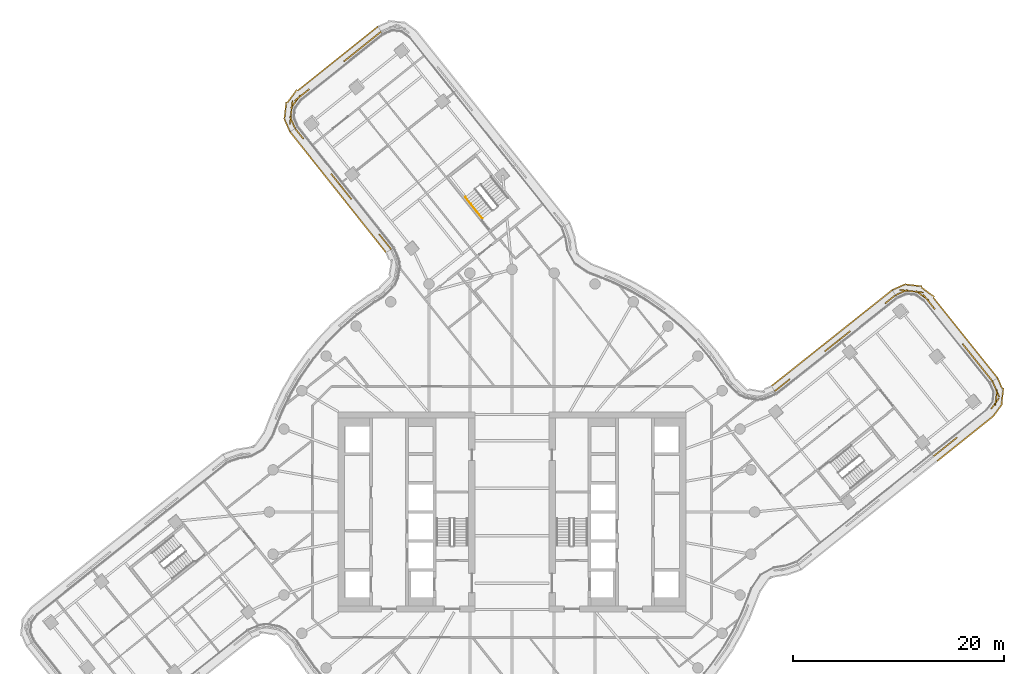
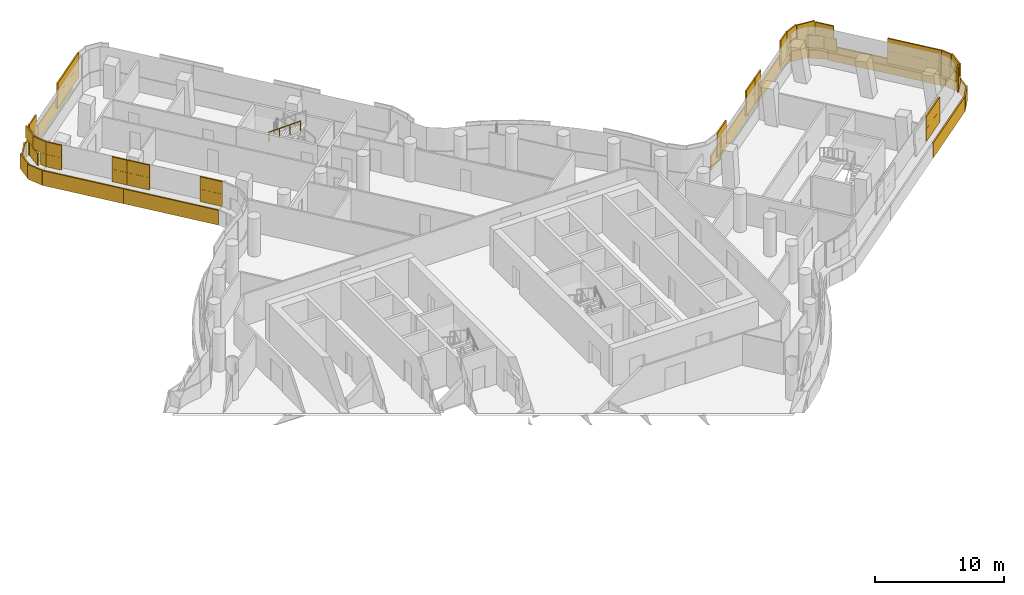
# One storey, part 30 of 31: 7 coverings, 1 railing.
"""IFC4 building model written with IfcOpenShell, lengths in metres."""

import ifcopenshell
import ifcopenshell.guid

model = None  # the IFC model being written
_history = None  # IfcOwnerHistory: only IFC2X3 demands one
_inside = {}  # id of a spatial element -> (the spatial element, [elements in it])
_under = {}  # id of a project, library or spatial element -> (it, [spatial elements below it])
_declared = {}  # id of a project -> (the project, [libraries it declares])
_typed = {}  # id of a type object -> (the type object, [elements of that type])
_made_of = {}  # id of a material, layer set ... -> (it, [elements and type objects made of it])


def new_model(schema):
    """Start an empty IFC model of exactly this schema.

    Asked for "IFC4X3", IfcOpenShell would pick the latest addendum, in which some entities
    have other attributes; the version numbers below select the first issue.
    IFC2X3 requires an IfcOwnerHistory on every rooted entity: one is made here for all.
    """
    global model, _history
    if schema == "IFC4X3":
        model = ifcopenshell.file(schema_version=(4, 3, 0, 0))
    else:
        model = ifcopenshell.file(schema=schema)
    _inside.clear()
    _under.clear()
    _declared.clear()
    _typed.clear()
    _made_of.clear()
    _history = None
    if model.schema == "IFC2X3":
        org = make("IfcOrganization", Name="unknown")
        user = make(
            "IfcPersonAndOrganization",
            ThePerson=make("IfcPerson", FamilyName="unknown"),
            TheOrganization=org,
        )
        app = make(
            "IfcApplication",
            ApplicationDeveloper=org,
            Version="unknown",
            ApplicationFullName="unknown",
            ApplicationIdentifier="unknown",
        )
        _history = make(
            "IfcOwnerHistory",
            OwningUser=user,
            OwningApplication=app,
            ChangeAction="ADDED",
            CreationDate=0,
        )
    return model


def make(cls, **values):
    """One entity of the class cls with the attributes given. An attribute that is None is left unset."""
    return model.create_entity(
        cls, **{name: value for name, value in values.items() if value is not None}
    )


def rooted(cls, **values):
    """An entity with a GlobalId (a new one), such as an element, a storey or a relation."""
    return make(cls, GlobalId=ifcopenshell.guid.new(), OwnerHistory=_history, **values)


def si_unit(unit_type, name, prefix=None):
    """IfcSIUnit, for example si_unit("LENGTHUNIT", "METRE", prefix="MILLI")."""
    return make("IfcSIUnit", UnitType=unit_type, Prefix=prefix, Name=name)


def assignment(units):
    """IfcUnitAssignment: the units of a project."""
    return None if units is None else make("IfcUnitAssignment", Units=units)


def point(xyz):
    """IfcCartesianPoint."""
    return None if xyz is None else make("IfcCartesianPoint", Coordinates=xyz)


def direction(xyz):
    """IfcDirection."""
    return None if xyz is None else make("IfcDirection", DirectionRatios=xyz)


def frame(location, z_axis=None, x_axis=None):
    """IfcAxis2Placement3D, a coordinate frame: its origin and axes. An axis left out is left unset."""
    return make(
        "IfcAxis2Placement3D",
        Location=point(location),
        Axis=direction(z_axis),
        RefDirection=direction(x_axis),
    )


def frame_2d(location, x_axis=None):
    """IfcAxis2Placement2D, a coordinate frame in the plane: its origin and x axis."""
    return make(
        "IfcAxis2Placement2D", Location=point(location), RefDirection=direction(x_axis)
    )


def origin():
    """The frame at (0, 0, 0) with its axes left unset."""
    return frame((0.0, 0.0, 0.0))


def origin_2d():
    """The frame at (0, 0) in the plane with its x axis left unset."""
    return frame_2d((0.0, 0.0))


def place(relative_to, where):
    """IfcLocalPlacement: puts the frame where relative to a parent placement (None: the world)."""
    return make(
        "IfcLocalPlacement", PlacementRelTo=relative_to, RelativePlacement=where
    )


def context(
    kind, dimensions, precision=None, world=None, true_north=None, identifier=None
):
    """IfcGeometricRepresentationContext, for example the 3D "Model" context."""
    return make(
        "IfcGeometricRepresentationContext",
        ContextIdentifier=identifier,
        ContextType=kind,
        CoordinateSpaceDimension=dimensions,
        Precision=precision,
        WorldCoordinateSystem=world,
        TrueNorth=true_north,
    )


def subcontext(parent, identifier, kind, view, scale=None):
    """IfcGeometricRepresentationSubContext, for example "Body" below "Model"."""
    return make(
        "IfcGeometricRepresentationSubContext",
        ContextIdentifier=identifier,
        ContextType=kind,
        ParentContext=parent,
        TargetScale=scale,
        TargetView=view,
    )


def project(units=None, contexts=None):
    """IfcProject with its units and contexts."""
    return rooted(
        "IfcProject",
        Name="project",
        RepresentationContexts=contexts,
        UnitsInContext=assignment(units),
    )


def spatial(cls, under=None, at=None, **own):
    """A site, building, storey or space (cls), placed at a placement, below another one or the project."""
    s = rooted(cls, ObjectPlacement=at, **own)
    if under is not None:
        _under.setdefault(under.id(), (under, []))[1].append(s)
    return s


def profile(cls, at=None, kind="AREA", **sizes):
    """A parametric profile (cls). Its sizes go by their IFC names, for example OverallWidth=200.0."""
    return make(cls, ProfileType=kind, Position=at, **sizes)


def rectangle(**sizes):
    """IfcRectangleProfileDef."""
    return profile("IfcRectangleProfileDef", **sizes)


def circle(**sizes):
    """IfcCircleProfileDef."""
    return profile("IfcCircleProfileDef", **sizes)


def extrude(swept, where, along, depth):
    """IfcExtrudedAreaSolid: the profile swept, set in the frame where, extruded along a direction by depth."""
    return make(
        "IfcExtrudedAreaSolid",
        SweptArea=swept,
        Position=where,
        ExtrudedDirection=direction(along),
        Depth=depth,
    )


def shape(context_of_items, identifier, shape_type, items):
    """IfcShapeRepresentation: the items that make up one representation, for example the "Body"."""
    return make(
        "IfcShapeRepresentation",
        ContextOfItems=context_of_items,
        RepresentationIdentifier=identifier,
        RepresentationType=shape_type,
        Items=items,
    )


def material(Name=None, Category=None):
    """IfcMaterial."""
    return make("IfcMaterial", Name=Name, Category=Category)


def layer(
    of_material, thickness, ventilated=None, Name=None, Category=None, Priority=None
):
    """IfcMaterialLayer: one layer of a wall or slab, of a material (None: an air gap)."""
    return make(
        "IfcMaterialLayer",
        Material=of_material,
        LayerThickness=thickness,
        IsVentilated=ventilated,
        Name=Name,
        Category=Category,
        Priority=Priority,
    )


def layer_set(layers, Name=None):
    """IfcMaterialLayerSet."""
    return make("IfcMaterialLayerSet", MaterialLayers=layers, LayerSetName=Name)


def made_of(thing, what):
    """Note that an element or type object is made of a material, layer set ...; save() writes the relation."""
    if what is not None:
        _made_of.setdefault(what.id(), (what, []))[1].append(thing)
    return thing


def type_object(cls, material=None, **own):
    """A type object (cls), such as IfcWallType, which elements share."""
    return made_of(rooted(cls, **own), material)


def element(
    cls,
    number,
    at=None,
    inside=None,
    cuts=None,
    type_object=None,
    material=None,
    context=None,
    identifier="Body",
    shape_type=None,
    held_by="IfcProductDefinitionShape",
    body=None,
    shapes=None,
    **own,
):
    """One element of the class cls, such as IfcWall. Its Tag is "e" and its number.

    at: its placement. inside: the storey or other place that contains it. cuts: it is an
    opening in that element (IfcRelVoidsElement). A single representation is given by context,
    identifier, shape_type and body (its items); several are given by shapes. held_by: the class
    of the entity that holds the representations. save() writes the other relations.
    """
    e = rooted(cls, Tag="e%d" % number, ObjectPlacement=at, **own)
    if body is not None:
        shapes = [shape(context, identifier, shape_type, body)]
    if shapes is not None:
        e.Representation = make(held_by, Representations=shapes)
    if inside is not None:
        _inside.setdefault(inside.id(), (inside, []))[1].append(e)
    if cuts is not None:
        rooted(
            "IfcRelVoidsElement", RelatingBuildingElement=cuts, RelatedOpeningElement=e
        )
    if type_object is not None:
        _typed.setdefault(type_object.id(), (type_object, []))[1].append(e)
    return made_of(e, material)


def aggregate(whole, parts):
    """IfcRelAggregates: a whole, such as a stair, and the parts it consists of."""
    return rooted("IfcRelAggregates", RelatingObject=whole, RelatedObjects=parts)


def save(model, path):
    """Write the relations noted so far, then the file.

    IfcRelAggregates (storeys below a building ...), IfcRelContainedInSpatialStructure (elements
    in a storey), IfcRelDefinesByType, IfcRelAssociatesMaterial and IfcRelDeclares: one each for
    every whole, place, type object, material and project.
    """
    for whole, parts in _under.values():
        aggregate(whole, parts)
    for where, things in _inside.values():
        rooted(
            "IfcRelContainedInSpatialStructure",
            RelatedElements=things,
            RelatingStructure=where,
        )
    for kind, things in _typed.values():
        rooted("IfcRelDefinesByType", RelatedObjects=things, RelatingType=kind)
    for what, things in _made_of.values():
        rooted("IfcRelAssociatesMaterial", RelatedObjects=things, RelatingMaterial=what)
    for by, libraries in _declared.values():
        rooted("IfcRelDeclares", RelatingContext=by, RelatedDefinitions=libraries)
    model.write(path)


model = new_model("IFC4")

# Units and contexts
model_context = context("Model", 3, precision=1e-05, world=origin(), true_north=direction((0.0, 1.0)))
body_context = subcontext(model_context, "Body", "Model", "MODEL_VIEW")
ifc_project = project(units=[si_unit("LENGTHUNIT", "METRE"), si_unit("AREAUNIT", "SQUARE_METRE"), si_unit("VOLUMEUNIT", "CUBIC_METRE"), si_unit("PLANEANGLEUNIT", "RADIAN"), si_unit("MASSUNIT", "GRAM", prefix="KILO")], contexts=[model_context])

# Site, building, storey
site_placement = place(None, origin())
site = spatial("IfcSite", under=ifc_project, at=site_placement, CompositionType="ELEMENT")
building_placement = place(site_placement, origin())
building = spatial("IfcBuilding", under=site, at=building_placement, Name="Tamarind Cross Interchange Tower", CompositionType="ELEMENT")
storey_placement = place(building_placement, frame((0.0, 0.0, 174.25)))
storey = spatial("IfcBuildingStorey", under=building, at=storey_placement, Name="L43", CompositionType="ELEMENT", Elevation=174.25)

# Railing
ifc_material_1 = material(Name="Stair handrail")
railing_type = type_object("IfcRailingType", Name="Stair handrail", PredefinedType="HANDRAIL", material=ifc_material_1)
railing_placement = place(storey_placement, frame((-4.42724609375, 29.855712890625, 2.04541015625)))
element("IfcRailing", 1, at=railing_placement, inside=storey, type_object=railing_type, Name="L43 ST4 stair handrail 2", PredefinedType="HANDRAIL", context=body_context, shape_type="SweptSolid", body=[
    extrude(circle(Radius=0.02392578125, at=origin_2d()), frame((0.0, 0.0, 0.8759765625), z_axis=(0.522440495283, -0.653030987341, 0.548275896298), x_axis=(0.780859648533, 0.62470649852, 0.0)), (0.0, 0.0, 1.0), 3.10888671875),
    extrude(circle(Radius=0.02099609375, at=origin_2d()), origin(), (0.0, 0.0, 1.0), 0.851806640625),
    extrude(circle(Radius=0.02099609375, at=origin_2d()), frame((0.54150390625, -0.6767578125, 0.568115234375)), (0.0, 0.0, 1.0), 0.851806640625),
    extrude(circle(Radius=0.02099609375, at=origin_2d()), frame((1.082763671875, -1.353515625, 1.136474609375)), (0.0, 0.0, 1.0), 0.851806640625),
    extrude(circle(Radius=0.02099609375, at=origin_2d()), frame((1.624267578125, -2.0302734375, 1.70458984375)), (0.0, 0.0, 1.0), 0.851806640625),
])

# Coverings
ifc_material_2 = material(Name="Terracotta", Category="masonry")
ifc_layer = layer(ifc_material_2, 0.1201171875)
ifc_layer_set = layer_set([ifc_layer], Name="Terracotta")
covering_type = type_object("IfcCoveringType", Name="Terracotta baguette screen unit", PredefinedType="MOLDING", material=ifc_layer_set)
covering_1_placement = place(storey_placement, origin())
element("IfcCovering", 2, at=covering_1_placement, inside=storey, type_object=covering_type, Name="SCR-L43-07-02", PredefinedType="MOLDING", context=body_context, shape_type="SweptSolid", body=[
    extrude(rectangle(XDim=0.8486328125, YDim=0.1201171875, at=origin_2d()), frame((40.26904296875, 5.53466796875, 1.404052734375), z_axis=(0.0, 0.0, 1.0), x_axis=(0.780892885425, 0.624664951388, 0.0)), (0.0, 0.0, 1.0), 1.1669921875),
    extrude(rectangle(XDim=1.52001953125, YDim=0.1201171875, at=origin_2d()), frame((41.18212890625, 6.26513671875, 1.404052734375), z_axis=(0.0, 0.0, 1.0), x_axis=(0.780892885425, 0.624664951388, 0.0)), (0.0, 0.0, 1.0), 1.1669921875),
    extrude(rectangle(XDim=0.554931640625, YDim=0.1201171875, at=origin_2d()), frame((41.98046875, 6.90380859375, 1.404052734375), z_axis=(0.0, 0.0, 1.0), x_axis=(0.780892885425, 0.624664951388, 0.0)), (0.0, 0.0, 1.0), 1.1669921875),
    extrude(rectangle(XDim=1.26513671875, YDim=0.1201171875, at=origin_2d()), frame((45.7802734375, 10.264892578125, 1.404052734375), z_axis=(0.0, 0.0, 1.0), x_axis=(0.59260941937, 0.805489960256, 0.0)), (0.0, 0.0, 1.0), 1.1669921875),
    extrude(rectangle(XDim=1.52001953125, YDim=0.1201171875, at=origin_2d()), frame((45.882568359375, 11.60009765625, 1.404052734375), z_axis=(0.0, 0.0, 1.0), x_axis=(-0.40127005839, 0.915959791825, 0.0)), (0.0, 0.0, 1.0), 1.1669921875),
    extrude(rectangle(XDim=0.138427734375, YDim=0.1201171875, at=origin_2d()), frame((45.555908203125, 12.345703125, 1.404052734375), z_axis=(0.0, 0.0, 1.0), x_axis=(-0.40127005839, 0.915959791825, 0.0)), (0.0, 0.0, 1.0), 1.1669921875),
    extrude(rectangle(XDim=0.0986328125, YDim=0.1201171875, at=origin_2d()), frame((39.97607421875, 5.30029296875, 2.5791015625), z_axis=(0.0, 0.0, 1.0), x_axis=(0.780892885425, 0.624664951388, 0.0)), (0.0, 0.0, 1.0), 1.1669921875),
    extrude(rectangle(XDim=1.52001953125, YDim=0.1201171875, at=origin_2d()), frame((40.596435546875, 5.796630859375, 2.5791015625), z_axis=(0.0, 0.0, 1.0), x_axis=(0.780892885425, 0.624664951388, 0.0)), (0.0, 0.0, 1.0), 1.1669921875),
    extrude(rectangle(XDim=1.304931640625, YDim=0.1201171875, at=origin_2d()), frame((41.687744140625, 6.66943359375, 2.5791015625), z_axis=(0.0, 0.0, 1.0), x_axis=(0.780892885425, 0.624664951388, 0.0)), (0.0, 0.0, 1.0), 1.1669921875),
    extrude(rectangle(XDim=0.51513671875, YDim=0.1201171875, at=origin_2d()), frame((45.55810546875, 9.962890625, 2.5791015625), z_axis=(0.0, 0.0, 1.0), x_axis=(0.59260941937, 0.805489960256, 0.0)), (0.0, 0.0, 1.0), 1.1669921875),
    extrude(rectangle(XDim=1.52001953125, YDim=0.1201171875, at=origin_2d()), frame((45.8984375, 10.86962890625, 2.5791015625), z_axis=(0.0, 0.0, 1.0), x_axis=(0.110469831569, 0.99387947776, 0.0)), (0.0, 0.0, 1.0), 1.1669921875),
    extrude(rectangle(XDim=0.888427734375, YDim=0.1201171875, at=origin_2d()), frame((45.70654296875, 12.002197265625, 2.5791015625), z_axis=(0.0, 0.0, 1.0), x_axis=(-0.40127005839, 0.915959791825, 0.0)), (0.0, 0.0, 1.0), 1.1669921875),
    extrude(rectangle(XDim=0.726318359375, YDim=0.1201171875, at=origin_2d()), frame((40.603515625, 5.067138671875, 0.00390625), z_axis=(0.0, 0.0, 1.0), x_axis=(0.780892885425, 0.624664951388, 0.0)), (0.0, 0.0, 1.0), 1.39208984375),
    extrude(rectangle(XDim=1.52001953125, YDim=0.1201171875, at=origin_2d()), frame((41.46484375, 5.75634765625, 0.00390625), z_axis=(0.0, 0.0, 1.0), x_axis=(0.780892885425, 0.624664951388, 0.0)), (0.0, 0.0, 1.0), 1.39208984375),
    extrude(rectangle(XDim=1.52001953125, YDim=0.1201171875, at=origin_2d()), frame((42.63623046875, 6.693359375, 0.00390625), z_axis=(0.0, 0.0, 1.0), x_axis=(0.780892885425, 0.624664951388, 0.0)), (0.0, 0.0, 1.0), 1.39208984375),
    extrude(rectangle(XDim=1.52001953125, YDim=0.1201171875, at=origin_2d()), frame((43.8076171875, 7.63037109375, 0.00390625), z_axis=(0.0, 0.0, 1.0), x_axis=(0.780892885425, 0.624664951388, 0.0)), (0.0, 0.0, 1.0), 1.39208984375),
    extrude(rectangle(XDim=1.52001953125, YDim=0.1201171875, at=origin_2d()), frame((44.97900390625, 8.5673828125, 0.00390625), z_axis=(0.0, 0.0, 1.0), x_axis=(0.780892885425, 0.624664951388, 0.0)), (0.0, 0.0, 1.0), 1.39208984375),
    extrude(rectangle(XDim=1.52001953125, YDim=0.1201171875, at=origin_2d()), frame((46.023193359375, 9.62646484375, 0.00390625), z_axis=(0.0, 0.0, 1.0), x_axis=(0.59260941937, 0.805489960256, 0.0)), (0.0, 0.0, 1.0), 1.39208984375),
    extrude(rectangle(XDim=1.52001953125, YDim=0.1201171875, at=origin_2d()), frame((46.490478515625, 10.999267578125, 0.00390625), z_axis=(0.0, 0.0, 1.0), x_axis=(0.110469831569, 0.99387947776, 0.0)), (0.0, 0.0, 1.0), 1.39208984375),
    extrude(rectangle(XDim=1.0771484375, YDim=0.1201171875, at=origin_2d()), frame((46.24169921875, 12.210693359375, 0.00390625), z_axis=(0.0, 0.0, 1.0), x_axis=(-0.40127005839, 0.915959791825, 0.0)), (0.0, 0.0, 1.0), 1.39208984375),
])
covering_2_placement = place(storey_placement, origin())
element("IfcCovering", 3, at=covering_2_placement, inside=storey, type_object=covering_type, Name="SCR-L43-08-00", PredefinedType="MOLDING", context=body_context, shape_type="SweptSolid", body=[
    extrude(rectangle(XDim=0.760009765625, YDim=0.1201171875, at=origin_2d()), frame((45.2958984375, 12.697509765625, 1.404052734375), z_axis=(0.0, 0.0, 1.0), x_axis=(-0.624664951388, 0.780892885425, 0.0)), (0.0, 0.0, 1.0), 1.1669921875),
    extrude(rectangle(XDim=1.52001953125, YDim=0.1201171875, at=origin_2d()), frame((44.59326171875, 13.575927734375, 1.404052734375), z_axis=(0.0, 0.0, 1.0), x_axis=(-0.624664951388, 0.780892885425, 0.0)), (0.0, 0.0, 1.0), 1.1669921875),
    extrude(rectangle(XDim=1.52001953125, YDim=0.1201171875, at=origin_2d()), frame((43.65625, 14.747314453125, 1.404052734375), z_axis=(0.0, 0.0, 1.0), x_axis=(-0.624664951388, 0.780892885425, 0.0)), (0.0, 0.0, 1.0), 1.1669921875),
    extrude(rectangle(XDim=0.78466796875, YDim=0.1201171875, at=origin_2d()), frame((42.94580078125, 15.635498046875, 1.404052734375), z_axis=(0.0, 0.0, 1.0), x_axis=(-0.624664951388, 0.780892885425, 0.0)), (0.0, 0.0, 1.0), 1.1669921875),
    extrude(rectangle(XDim=1.03515625, YDim=0.1201171875, at=origin_2d()), frame((39.760009765625, 19.617919921875, 1.404052734375), z_axis=(0.0, 0.0, 1.0), x_axis=(-0.624664951388, 0.780892885425, 0.0)), (0.0, 0.0, 1.0), 1.1669921875),
    extrude(rectangle(XDim=1.52001953125, YDim=0.1201171875, at=origin_2d()), frame((38.885009765625, 20.51416015625, 1.404052734375), z_axis=(0.0, 0.0, 1.0), x_axis=(-0.805489960256, 0.59260941937, 0.0)), (0.0, 0.0, 1.0), 1.1669921875),
    extrude(rectangle(XDim=1.52001953125, YDim=0.1201171875, at=origin_2d()), frame((37.50634765625, 20.966796875, 1.404052734375), z_axis=(0.0, 0.0, 1.0), x_axis=(-0.99387947776, 0.110469831569, 0.0)), (0.0, 0.0, 1.0), 1.1669921875),
    extrude(rectangle(XDim=0.509521484375, YDim=0.1201171875, at=origin_2d()), frame((36.57666015625, 20.656982421875, 1.404052734375), z_axis=(0.0, 0.0, 1.0), x_axis=(-0.915959791825, -0.40127005839, 0.0)), (0.0, 0.0, 1.0), 1.1669921875),
    extrude(rectangle(XDim=1.510009765625, YDim=0.1201171875, at=origin_2d()), frame((45.061767578125, 12.990234375, 2.5791015625), z_axis=(0.0, 0.0, 1.0), x_axis=(-0.624664951388, 0.780892885425, 0.0)), (0.0, 0.0, 1.0), 1.1669921875),
    extrude(rectangle(XDim=1.52001953125, YDim=0.1201171875, at=origin_2d()), frame((44.124755859375, 14.16162109375, 2.5791015625), z_axis=(0.0, 0.0, 1.0), x_axis=(-0.624664951388, 0.780892885425, 0.0)), (0.0, 0.0, 1.0), 1.1669921875),
    extrude(rectangle(XDim=1.52001953125, YDim=0.1201171875, at=origin_2d()), frame((43.187744140625, 15.3330078125, 2.5791015625), z_axis=(0.0, 0.0, 1.0), x_axis=(-0.624664951388, 0.780892885425, 0.0)), (0.0, 0.0, 1.0), 1.1669921875),
    extrude(rectangle(XDim=1.52001953125, YDim=0.1201171875, at=origin_2d()), frame((39.439697265625, 20.018310546875, 2.5791015625), z_axis=(0.0, 0.0, 1.0), x_axis=(-0.624664951388, 0.780892885425, 0.0)), (0.0, 0.0, 1.0), 1.1669921875),
    extrude(rectangle(XDim=1.52001953125, YDim=0.1201171875, at=origin_2d()), frame((38.251708984375, 20.884033203125, 2.5791015625), z_axis=(0.0, 0.0, 1.0), x_axis=(-0.99387947776, 0.110469831569, 0.0)), (0.0, 0.0, 1.0), 1.1669921875),
    extrude(rectangle(XDim=1.259521484375, YDim=0.1201171875, at=origin_2d()), frame((36.920166015625, 20.807373046875, 2.5791015625), z_axis=(0.0, 0.0, 1.0), x_axis=(-0.915959791825, -0.40127005839, 0.0)), (0.0, 0.0, 1.0), 1.1669921875),
    extrude(rectangle(XDim=0.760009765625, YDim=0.1201171875, at=origin_2d()), frame((45.788330078125, 13.0009765625, 0.00390625), z_axis=(0.0, 0.0, 1.0), x_axis=(-0.624664951388, 0.780892885425, 0.0)), (0.0, 0.0, 1.0), 1.39208984375),
    extrude(rectangle(XDim=1.52001953125, YDim=0.1201171875, at=origin_2d()), frame((45.088623046875, 13.87548828125, 0.00390625), z_axis=(0.0, 0.0, 1.0), x_axis=(-0.624664951388, 0.780892885425, 0.0)), (0.0, 0.0, 1.0), 1.39208984375),
    extrude(rectangle(XDim=1.52001953125, YDim=0.1201171875, at=origin_2d()), frame((44.151611328125, 15.046875, 0.00390625), z_axis=(0.0, 0.0, 1.0), x_axis=(-0.624664951388, 0.780892885425, 0.0)), (0.0, 0.0, 1.0), 1.39208984375),
    extrude(rectangle(XDim=1.52001953125, YDim=0.1201171875, at=origin_2d()), frame((43.214599609375, 16.21826171875, 0.00390625), z_axis=(0.0, 0.0, 1.0), x_axis=(-0.624664951388, 0.780892885425, 0.0)), (0.0, 0.0, 1.0), 1.39208984375),
    extrude(rectangle(XDim=1.52001953125, YDim=0.1201171875, at=origin_2d()), frame((42.277587890625, 17.389404296875, 0.00390625), z_axis=(0.0, 0.0, 1.0), x_axis=(-0.624664951388, 0.780892885425, 0.0)), (0.0, 0.0, 1.0), 1.39208984375),
    extrude(rectangle(XDim=1.52001953125, YDim=0.1201171875, at=origin_2d()), frame((41.340576171875, 18.560791015625, 0.00390625), z_axis=(0.0, 0.0, 1.0), x_axis=(-0.624664951388, 0.780892885425, 0.0)), (0.0, 0.0, 1.0), 1.39208984375),
    extrude(rectangle(XDim=1.52001953125, YDim=0.1201171875, at=origin_2d()), frame((40.403564453125, 19.732177734375, 0.00390625), z_axis=(0.0, 0.0, 1.0), x_axis=(-0.624664951388, 0.780892885425, 0.0)), (0.0, 0.0, 1.0), 1.39208984375),
    extrude(rectangle(XDim=1.52001953125, YDim=0.1201171875, at=origin_2d()), frame((39.407958984375, 20.84228515625, 0.00390625), z_axis=(0.0, 0.0, 1.0), x_axis=(-0.805489960256, 0.59260941937, 0.0)), (0.0, 0.0, 1.0), 1.39208984375),
    extrude(rectangle(XDim=1.52001953125, YDim=0.1201171875, at=origin_2d()), frame((38.100830078125, 21.478271484375, 0.00390625), z_axis=(0.0, 0.0, 1.0), x_axis=(-0.99387947776, 0.110469831569, 0.0)), (0.0, 0.0, 1.0), 1.39208984375),
    extrude(rectangle(XDim=1.42626953125, YDim=0.1201171875, at=origin_2d()), frame((36.702392578125, 21.338623046875, 0.00390625), z_axis=(0.0, 0.0, 1.0), x_axis=(-0.915959791825, -0.40127005839, 0.0)), (0.0, 0.0, 1.0), 1.39208984375),
])
covering_3_placement = place(storey_placement, origin())
element("IfcCovering", 4, at=covering_3_placement, inside=storey, type_object=covering_type, Name="SCR-L43-09-00", PredefinedType="MOLDING", context=body_context, shape_type="SweptSolid", body=[
    extrude(rectangle(XDim=0.760009765625, YDim=0.1201171875, at=origin_2d()), frame((36.054443359375, 20.3232421875, 1.404052734375), z_axis=(0.0, 0.0, 1.0), x_axis=(-0.782599684666, -0.622525287487, 0.0)), (0.0, 0.0, 1.0), 1.1669921875),
    extrude(rectangle(XDim=0.5263671875, YDim=0.1201171875, at=origin_2d()), frame((35.558837890625, 19.92919921875, 1.404052734375), z_axis=(0.0, 0.0, 1.0), x_axis=(-0.782599684666, -0.622525287487, 0.0)), (0.0, 0.0, 1.0), 1.1669921875),
    extrude(rectangle(XDim=1.266357421875, YDim=0.1201171875, at=origin_2d()), frame((31.574462890625, 16.759521484375, 1.404052734375), z_axis=(0.0, 0.0, 1.0), x_axis=(-0.782599684666, -0.622525287487, 0.0)), (0.0, 0.0, 1.0), 1.1669921875),
    extrude(rectangle(XDim=1.266357421875, YDim=0.1201171875, at=origin_2d()), frame((35.852294921875, 20.16259765625, 2.5791015625), z_axis=(0.0, 0.0, 1.0), x_axis=(-0.782599684666, -0.622525287487, 0.0)), (0.0, 0.0, 1.0), 1.1669921875),
    extrude(rectangle(XDim=0.543701171875, YDim=0.1201171875, at=origin_2d()), frame((31.861083984375, 16.98779296875, 2.5791015625), z_axis=(0.0, 0.0, 1.0), x_axis=(-0.782599684666, -0.622525287487, 0.0)), (0.0, 0.0, 1.0), 1.1669921875),
    extrude(rectangle(XDim=0.74267578125, YDim=0.1201171875, at=origin_2d()), frame((31.365478515625, 16.593505859375, 2.5791015625), z_axis=(0.0, 0.0, 1.0), x_axis=(-0.782599684666, -0.622525287487, 0.0)), (0.0, 0.0, 1.0), 1.1669921875),
    extrude(rectangle(XDim=0.760009765625, YDim=0.1201171875, at=origin_2d()), frame((35.751708984375, 20.81591796875, 0.00390625), z_axis=(0.0, 0.0, 1.0), x_axis=(-0.782599684666, -0.622525287487, 0.0)), (0.0, 0.0, 1.0), 1.39208984375),
    extrude(rectangle(XDim=1.52001953125, YDim=0.1201171875, at=origin_2d()), frame((34.875244140625, 20.11865234375, 0.00390625), z_axis=(0.0, 0.0, 1.0), x_axis=(-0.782599684666, -0.622525287487, 0.0)), (0.0, 0.0, 1.0), 1.39208984375),
    extrude(rectangle(XDim=1.52001953125, YDim=0.1201171875, at=origin_2d()), frame((33.701171875, 19.184814453125, 0.00390625), z_axis=(0.0, 0.0, 1.0), x_axis=(-0.782599684666, -0.622525287487, 0.0)), (0.0, 0.0, 1.0), 1.39208984375),
    extrude(rectangle(XDim=1.52001953125, YDim=0.1201171875, at=origin_2d()), frame((32.52734375, 18.251220703125, 0.00390625), z_axis=(0.0, 0.0, 1.0), x_axis=(-0.782599684666, -0.622525287487, 0.0)), (0.0, 0.0, 1.0), 1.39208984375),
    extrude(rectangle(XDim=1.48974609375, YDim=0.1201171875, at=origin_2d()), frame((31.365478515625, 17.326904296875, 0.00390625), z_axis=(0.0, 0.0, 1.0), x_axis=(-0.782599684666, -0.622525287487, 0.0)), (0.0, 0.0, 1.0), 1.39208984375),
])
covering_4_placement = place(storey_placement, origin())
element("IfcCovering", 5, at=covering_4_placement, inside=storey, type_object=covering_type, Name="SCR-L43-09-01", PredefinedType="MOLDING", context=body_context, shape_type="SweptSolid", body=[
    extrude(rectangle(XDim=1.52001953125, YDim=0.1201171875, at=origin_2d()), frame((30.478515625, 15.8876953125, 1.404052734375), z_axis=(0.0, 0.0, 1.0), x_axis=(-0.782599684666, -0.622525287487, 0.0)), (0.0, 0.0, 1.0), 1.1669921875),
    extrude(rectangle(XDim=0.34130859375, YDim=0.1201171875, at=origin_2d()), frame((29.76171875, 15.317626953125, 1.404052734375), z_axis=(0.0, 0.0, 1.0), x_axis=(-0.782599684666, -0.622525287487, 0.0)), (0.0, 0.0, 1.0), 1.1669921875),
    extrude(rectangle(XDim=1.478515625, YDim=0.1201171875, at=origin_2d()), frame((25.7705078125, 12.142822265625, 1.404052734375), z_axis=(0.0, 0.0, 1.0), x_axis=(-0.782599684666, -0.622525287487, 0.0)), (0.0, 0.0, 1.0), 1.1669921875),
    extrude(rectangle(XDim=0.39013671875, YDim=0.1201171875, at=origin_2d()), frame((25.047119140625, 11.5673828125, 1.404052734375), z_axis=(0.0, 0.0, 1.0), x_axis=(-0.782599684666, -0.622525287487, 0.0)), (0.0, 0.0, 1.0), 1.1669921875),
    extrude(rectangle(XDim=0.77734375, YDim=0.1201171875, at=origin_2d()), frame((30.778564453125, 16.126708984375, 2.5791015625), z_axis=(0.0, 0.0, 1.0), x_axis=(-0.782599684666, -0.622525287487, 0.0)), (0.0, 0.0, 1.0), 1.1669921875),
    extrude(rectangle(XDim=1.09130859375, YDim=0.1201171875, at=origin_2d()), frame((30.05517578125, 15.55126953125, 2.5791015625), z_axis=(0.0, 0.0, 1.0), x_axis=(-0.782599684666, -0.622525287487, 0.0)), (0.0, 0.0, 1.0), 1.1669921875),
    extrude(rectangle(XDim=0.728515625, YDim=0.1201171875, at=origin_2d()), frame((26.06396484375, 12.376220703125, 2.5791015625), z_axis=(0.0, 0.0, 1.0), x_axis=(-0.782599684666, -0.622525287487, 0.0)), (0.0, 0.0, 1.0), 1.1669921875),
    extrude(rectangle(XDim=1.14013671875, YDim=0.1201171875, at=origin_2d()), frame((25.340576171875, 11.80078125, 2.5791015625), z_axis=(0.0, 0.0, 1.0), x_axis=(-0.782599684666, -0.622525287487, 0.0)), (0.0, 0.0, 1.0), 1.1669921875),
    extrude(rectangle(XDim=0.0302734375, YDim=0.1201171875, at=origin_2d()), frame((30.7705078125, 16.853759765625, 0.00390625), z_axis=(0.0, 0.0, 1.0), x_axis=(-0.782599684666, -0.622525287487, 0.0)), (0.0, 0.0, 1.0), 1.39208984375),
    extrude(rectangle(XDim=1.52001953125, YDim=0.1201171875, at=origin_2d()), frame((30.1796875, 16.383544921875, 0.00390625), z_axis=(0.0, 0.0, 1.0), x_axis=(-0.782599684666, -0.622525287487, 0.0)), (0.0, 0.0, 1.0), 1.39208984375),
    extrude(rectangle(XDim=1.52001953125, YDim=0.1201171875, at=origin_2d()), frame((29.005615234375, 15.44970703125, 0.00390625), z_axis=(0.0, 0.0, 1.0), x_axis=(-0.782599684666, -0.622525287487, 0.0)), (0.0, 0.0, 1.0), 1.39208984375),
    extrude(rectangle(XDim=1.52001953125, YDim=0.1201171875, at=origin_2d()), frame((27.831787109375, 14.515869140625, 0.00390625), z_axis=(0.0, 0.0, 1.0), x_axis=(-0.782599684666, -0.622525287487, 0.0)), (0.0, 0.0, 1.0), 1.39208984375),
    extrude(rectangle(XDim=1.52001953125, YDim=0.1201171875, at=origin_2d()), frame((26.657958984375, 13.582275390625, 0.00390625), z_axis=(0.0, 0.0, 1.0), x_axis=(-0.782599684666, -0.622525287487, 0.0)), (0.0, 0.0, 1.0), 1.39208984375),
    extrude(rectangle(XDim=1.52001953125, YDim=0.1201171875, at=origin_2d()), frame((25.48388671875, 12.6484375, 0.00390625), z_axis=(0.0, 0.0, 1.0), x_axis=(-0.782599684666, -0.622525287487, 0.0)), (0.0, 0.0, 1.0), 1.39208984375),
    extrude(rectangle(XDim=0.38330078125, YDim=0.1201171875, at=origin_2d()), frame((24.7548828125, 12.068359375, 0.00390625), z_axis=(0.0, 0.0, 1.0), x_axis=(-0.782599684666, -0.622525287487, 0.0)), (0.0, 0.0, 1.0), 1.39208984375),
])
covering_5_placement = place(storey_placement, origin())
element("IfcCovering", 6, at=covering_5_placement, inside=storey, type_object=covering_type, Name="SCR-L43-12-00", PredefinedType="MOLDING", context=body_context, shape_type="SweptSolid", body=[
    extrude(rectangle(XDim=0.760009765625, YDim=0.1201171875, at=origin_2d()), frame((-12.697509765625, 45.2958984375, 1.404052734375), z_axis=(0.0, 0.0, 1.0), x_axis=(-0.780892885425, -0.624664951388, 0.0)), (0.0, 0.0, 1.0), 1.1669921875),
    extrude(rectangle(XDim=1.52001953125, YDim=0.1201171875, at=origin_2d()), frame((-13.575927734375, 44.59326171875, 1.404052734375), z_axis=(0.0, 0.0, 1.0), x_axis=(-0.780892885425, -0.624664951388, 0.0)), (0.0, 0.0, 1.0), 1.1669921875),
    extrude(rectangle(XDim=1.52001953125, YDim=0.1201171875, at=origin_2d()), frame((-14.747314453125, 43.65625, 1.404052734375), z_axis=(0.0, 0.0, 1.0), x_axis=(-0.780892885425, -0.624664951388, 0.0)), (0.0, 0.0, 1.0), 1.1669921875),
    extrude(rectangle(XDim=0.78466796875, YDim=0.1201171875, at=origin_2d()), frame((-15.635498046875, 42.94580078125, 1.404052734375), z_axis=(0.0, 0.0, 1.0), x_axis=(-0.780892885425, -0.624664951388, 0.0)), (0.0, 0.0, 1.0), 1.1669921875),
    extrude(rectangle(XDim=1.03515625, YDim=0.1201171875, at=origin_2d()), frame((-19.617919921875, 39.760009765625, 1.404052734375), z_axis=(0.0, 0.0, 1.0), x_axis=(-0.780892885425, -0.624664951388, 0.0)), (0.0, 0.0, 1.0), 1.1669921875),
    extrude(rectangle(XDim=1.52001953125, YDim=0.1201171875, at=origin_2d()), frame((-20.51416015625, 38.885009765625, 1.404052734375), z_axis=(0.0, 0.0, 1.0), x_axis=(-0.59260941937, -0.805489960256, 0.0)), (0.0, 0.0, 1.0), 1.1669921875),
    extrude(rectangle(XDim=1.52001953125, YDim=0.1201171875, at=origin_2d()), frame((-20.966796875, 37.50634765625, 1.404052734375), z_axis=(0.0, 0.0, 1.0), x_axis=(-0.110469831569, -0.99387947776, 0.0)), (0.0, 0.0, 1.0), 1.1669921875),
    extrude(rectangle(XDim=0.509521484375, YDim=0.1201171875, at=origin_2d()), frame((-20.656982421875, 36.57666015625, 1.404052734375), z_axis=(0.0, 0.0, 1.0), x_axis=(0.40127005839, -0.915959791825, 0.0)), (0.0, 0.0, 1.0), 1.1669921875),
    extrude(rectangle(XDim=1.510009765625, YDim=0.1201171875, at=origin_2d()), frame((-12.990234375, 45.061767578125, 2.5791015625), z_axis=(0.0, 0.0, 1.0), x_axis=(-0.780892885425, -0.624664951388, 0.0)), (0.0, 0.0, 1.0), 1.1669921875),
    extrude(rectangle(XDim=1.52001953125, YDim=0.1201171875, at=origin_2d()), frame((-14.16162109375, 44.124755859375, 2.5791015625), z_axis=(0.0, 0.0, 1.0), x_axis=(-0.780892885425, -0.624664951388, 0.0)), (0.0, 0.0, 1.0), 1.1669921875),
    extrude(rectangle(XDim=1.52001953125, YDim=0.1201171875, at=origin_2d()), frame((-15.3330078125, 43.187744140625, 2.5791015625), z_axis=(0.0, 0.0, 1.0), x_axis=(-0.780892885425, -0.624664951388, 0.0)), (0.0, 0.0, 1.0), 1.1669921875),
    extrude(rectangle(XDim=1.52001953125, YDim=0.1201171875, at=origin_2d()), frame((-20.018310546875, 39.439697265625, 2.5791015625), z_axis=(0.0, 0.0, 1.0), x_axis=(-0.780892885425, -0.624664951388, 0.0)), (0.0, 0.0, 1.0), 1.1669921875),
    extrude(rectangle(XDim=1.52001953125, YDim=0.1201171875, at=origin_2d()), frame((-20.884033203125, 38.251708984375, 2.5791015625), z_axis=(0.0, 0.0, 1.0), x_axis=(-0.110469831569, -0.99387947776, 0.0)), (0.0, 0.0, 1.0), 1.1669921875),
    extrude(rectangle(XDim=1.259521484375, YDim=0.1201171875, at=origin_2d()), frame((-20.807373046875, 36.920166015625, 2.5791015625), z_axis=(0.0, 0.0, 1.0), x_axis=(0.40127005839, -0.915959791825, 0.0)), (0.0, 0.0, 1.0), 1.1669921875),
    extrude(rectangle(XDim=0.760009765625, YDim=0.1201171875, at=origin_2d()), frame((-13.0009765625, 45.788330078125, 0.00390625), z_axis=(0.0, 0.0, 1.0), x_axis=(-0.780892885425, -0.624664951388, 0.0)), (0.0, 0.0, 1.0), 1.39208984375),
    extrude(rectangle(XDim=1.52001953125, YDim=0.1201171875, at=origin_2d()), frame((-13.87548828125, 45.088623046875, 0.00390625), z_axis=(0.0, 0.0, 1.0), x_axis=(-0.780892885425, -0.624664951388, 0.0)), (0.0, 0.0, 1.0), 1.39208984375),
    extrude(rectangle(XDim=1.52001953125, YDim=0.1201171875, at=origin_2d()), frame((-15.046875, 44.151611328125, 0.00390625), z_axis=(0.0, 0.0, 1.0), x_axis=(-0.780892885425, -0.624664951388, 0.0)), (0.0, 0.0, 1.0), 1.39208984375),
    extrude(rectangle(XDim=1.52001953125, YDim=0.1201171875, at=origin_2d()), frame((-16.21826171875, 43.214599609375, 0.00390625), z_axis=(0.0, 0.0, 1.0), x_axis=(-0.780892885425, -0.624664951388, 0.0)), (0.0, 0.0, 1.0), 1.39208984375),
    extrude(rectangle(XDim=1.52001953125, YDim=0.1201171875, at=origin_2d()), frame((-17.389404296875, 42.277587890625, 0.00390625), z_axis=(0.0, 0.0, 1.0), x_axis=(-0.780892885425, -0.624664951388, 0.0)), (0.0, 0.0, 1.0), 1.39208984375),
    extrude(rectangle(XDim=1.52001953125, YDim=0.1201171875, at=origin_2d()), frame((-18.560791015625, 41.340576171875, 0.00390625), z_axis=(0.0, 0.0, 1.0), x_axis=(-0.780892885425, -0.624664951388, 0.0)), (0.0, 0.0, 1.0), 1.39208984375),
    extrude(rectangle(XDim=1.52001953125, YDim=0.1201171875, at=origin_2d()), frame((-19.732177734375, 40.403564453125, 0.00390625), z_axis=(0.0, 0.0, 1.0), x_axis=(-0.780892885425, -0.624664951388, 0.0)), (0.0, 0.0, 1.0), 1.39208984375),
    extrude(rectangle(XDim=1.52001953125, YDim=0.1201171875, at=origin_2d()), frame((-20.84228515625, 39.407958984375, 0.00390625), z_axis=(0.0, 0.0, 1.0), x_axis=(-0.59260941937, -0.805489960256, 0.0)), (0.0, 0.0, 1.0), 1.39208984375),
    extrude(rectangle(XDim=1.52001953125, YDim=0.1201171875, at=origin_2d()), frame((-21.478271484375, 38.100830078125, 0.00390625), z_axis=(0.0, 0.0, 1.0), x_axis=(-0.110469831569, -0.99387947776, 0.0)), (0.0, 0.0, 1.0), 1.39208984375),
    extrude(rectangle(XDim=1.42626953125, YDim=0.1201171875, at=origin_2d()), frame((-21.338623046875, 36.702392578125, 0.00390625), z_axis=(0.0, 0.0, 1.0), x_axis=(0.40127005839, -0.915959791825, 0.0)), (0.0, 0.0, 1.0), 1.39208984375),
])
covering_6_placement = place(storey_placement, origin())
element("IfcCovering", 7, at=covering_6_placement, inside=storey, type_object=covering_type, Name="SCR-L43-13-00", PredefinedType="MOLDING", context=body_context, shape_type="SweptSolid", body=[
    extrude(rectangle(XDim=0.760009765625, YDim=0.1201171875, at=origin_2d()), frame((-20.3232421875, 36.054443359375, 1.404052734375), z_axis=(0.0, 0.0, 1.0), x_axis=(0.622525287487, -0.782599684666, 0.0)), (0.0, 0.0, 1.0), 1.1669921875),
    extrude(rectangle(XDim=0.5263671875, YDim=0.1201171875, at=origin_2d()), frame((-19.92919921875, 35.558837890625, 1.404052734375), z_axis=(0.0, 0.0, 1.0), x_axis=(0.622525287487, -0.782599684666, 0.0)), (0.0, 0.0, 1.0), 1.1669921875),
    extrude(rectangle(XDim=1.266357421875, YDim=0.1201171875, at=origin_2d()), frame((-16.759521484375, 31.574462890625, 1.404052734375), z_axis=(0.0, 0.0, 1.0), x_axis=(0.622525287487, -0.782599684666, 0.0)), (0.0, 0.0, 1.0), 1.1669921875),
    extrude(rectangle(XDim=1.266357421875, YDim=0.1201171875, at=origin_2d()), frame((-20.16259765625, 35.852294921875, 2.5791015625), z_axis=(0.0, 0.0, 1.0), x_axis=(0.622525287487, -0.782599684666, 0.0)), (0.0, 0.0, 1.0), 1.1669921875),
    extrude(rectangle(XDim=0.543701171875, YDim=0.1201171875, at=origin_2d()), frame((-16.98779296875, 31.861083984375, 2.5791015625), z_axis=(0.0, 0.0, 1.0), x_axis=(0.622525287487, -0.782599684666, 0.0)), (0.0, 0.0, 1.0), 1.1669921875),
    extrude(rectangle(XDim=0.74267578125, YDim=0.1201171875, at=origin_2d()), frame((-16.593505859375, 31.365478515625, 2.5791015625), z_axis=(0.0, 0.0, 1.0), x_axis=(0.622525287487, -0.782599684666, 0.0)), (0.0, 0.0, 1.0), 1.1669921875),
    extrude(rectangle(XDim=0.760009765625, YDim=0.1201171875, at=origin_2d()), frame((-20.81591796875, 35.751708984375, 0.00390625), z_axis=(0.0, 0.0, 1.0), x_axis=(0.622525287487, -0.782599684666, 0.0)), (0.0, 0.0, 1.0), 1.39208984375),
    extrude(rectangle(XDim=1.52001953125, YDim=0.1201171875, at=origin_2d()), frame((-20.11865234375, 34.875244140625, 0.00390625), z_axis=(0.0, 0.0, 1.0), x_axis=(0.622525287487, -0.782599684666, 0.0)), (0.0, 0.0, 1.0), 1.39208984375),
    extrude(rectangle(XDim=1.52001953125, YDim=0.1201171875, at=origin_2d()), frame((-19.184814453125, 33.701171875, 0.00390625), z_axis=(0.0, 0.0, 1.0), x_axis=(0.622525287487, -0.782599684666, 0.0)), (0.0, 0.0, 1.0), 1.39208984375),
    extrude(rectangle(XDim=1.52001953125, YDim=0.1201171875, at=origin_2d()), frame((-18.251220703125, 32.52734375, 0.00390625), z_axis=(0.0, 0.0, 1.0), x_axis=(0.622525287487, -0.782599684666, 0.0)), (0.0, 0.0, 1.0), 1.39208984375),
    extrude(rectangle(XDim=1.48974609375, YDim=0.1201171875, at=origin_2d()), frame((-17.326904296875, 31.365478515625, 0.00390625), z_axis=(0.0, 0.0, 1.0), x_axis=(0.622525287487, -0.782599684666, 0.0)), (0.0, 0.0, 1.0), 1.39208984375),
])
covering_7_placement = place(storey_placement, origin())
element("IfcCovering", 8, at=covering_7_placement, inside=storey, type_object=covering_type, Name="SCR-L43-13-01", PredefinedType="MOLDING", context=body_context, shape_type="SweptSolid", body=[
    extrude(rectangle(XDim=1.52001953125, YDim=0.1201171875, at=origin_2d()), frame((-15.8876953125, 30.478515625, 1.404052734375), z_axis=(0.0, 0.0, 1.0), x_axis=(0.622525287487, -0.782599684666, 0.0)), (0.0, 0.0, 1.0), 1.1669921875),
    extrude(rectangle(XDim=0.34130859375, YDim=0.1201171875, at=origin_2d()), frame((-15.317626953125, 29.76171875, 1.404052734375), z_axis=(0.0, 0.0, 1.0), x_axis=(0.622525287487, -0.782599684666, 0.0)), (0.0, 0.0, 1.0), 1.1669921875),
    extrude(rectangle(XDim=1.478515625, YDim=0.1201171875, at=origin_2d()), frame((-12.142822265625, 25.7705078125, 1.404052734375), z_axis=(0.0, 0.0, 1.0), x_axis=(0.622525287487, -0.782599684666, 0.0)), (0.0, 0.0, 1.0), 1.1669921875),
    extrude(rectangle(XDim=0.39013671875, YDim=0.1201171875, at=origin_2d()), frame((-11.5673828125, 25.047119140625, 1.404052734375), z_axis=(0.0, 0.0, 1.0), x_axis=(0.622525287487, -0.782599684666, 0.0)), (0.0, 0.0, 1.0), 1.1669921875),
    extrude(rectangle(XDim=0.77734375, YDim=0.1201171875, at=origin_2d()), frame((-16.126708984375, 30.778564453125, 2.5791015625), z_axis=(0.0, 0.0, 1.0), x_axis=(0.622525287487, -0.782599684666, 0.0)), (0.0, 0.0, 1.0), 1.1669921875),
    extrude(rectangle(XDim=1.09130859375, YDim=0.1201171875, at=origin_2d()), frame((-15.55126953125, 30.05517578125, 2.5791015625), z_axis=(0.0, 0.0, 1.0), x_axis=(0.622525287487, -0.782599684666, 0.0)), (0.0, 0.0, 1.0), 1.1669921875),
    extrude(rectangle(XDim=0.728515625, YDim=0.1201171875, at=origin_2d()), frame((-12.376220703125, 26.06396484375, 2.5791015625), z_axis=(0.0, 0.0, 1.0), x_axis=(0.622525287487, -0.782599684666, 0.0)), (0.0, 0.0, 1.0), 1.1669921875),
    extrude(rectangle(XDim=1.14013671875, YDim=0.1201171875, at=origin_2d()), frame((-11.80078125, 25.340576171875, 2.5791015625), z_axis=(0.0, 0.0, 1.0), x_axis=(0.622525287487, -0.782599684666, 0.0)), (0.0, 0.0, 1.0), 1.1669921875),
    extrude(rectangle(XDim=0.0302734375, YDim=0.1201171875, at=origin_2d()), frame((-16.853759765625, 30.7705078125, 0.00390625), z_axis=(0.0, 0.0, 1.0), x_axis=(0.622525287487, -0.782599684666, 0.0)), (0.0, 0.0, 1.0), 1.39208984375),
    extrude(rectangle(XDim=1.52001953125, YDim=0.1201171875, at=origin_2d()), frame((-16.383544921875, 30.1796875, 0.00390625), z_axis=(0.0, 0.0, 1.0), x_axis=(0.622525287487, -0.782599684666, 0.0)), (0.0, 0.0, 1.0), 1.39208984375),
    extrude(rectangle(XDim=1.52001953125, YDim=0.1201171875, at=origin_2d()), frame((-15.44970703125, 29.005615234375, 0.00390625), z_axis=(0.0, 0.0, 1.0), x_axis=(0.622525287487, -0.782599684666, 0.0)), (0.0, 0.0, 1.0), 1.39208984375),
    extrude(rectangle(XDim=1.52001953125, YDim=0.1201171875, at=origin_2d()), frame((-14.515869140625, 27.831787109375, 0.00390625), z_axis=(0.0, 0.0, 1.0), x_axis=(0.622525287487, -0.782599684666, 0.0)), (0.0, 0.0, 1.0), 1.39208984375),
    extrude(rectangle(XDim=1.52001953125, YDim=0.1201171875, at=origin_2d()), frame((-13.582275390625, 26.657958984375, 0.00390625), z_axis=(0.0, 0.0, 1.0), x_axis=(0.622525287487, -0.782599684666, 0.0)), (0.0, 0.0, 1.0), 1.39208984375),
    extrude(rectangle(XDim=1.52001953125, YDim=0.1201171875, at=origin_2d()), frame((-12.6484375, 25.48388671875, 0.00390625), z_axis=(0.0, 0.0, 1.0), x_axis=(0.622525287487, -0.782599684666, 0.0)), (0.0, 0.0, 1.0), 1.39208984375),
    extrude(rectangle(XDim=0.38330078125, YDim=0.1201171875, at=origin_2d()), frame((-12.068359375, 24.7548828125, 0.00390625), z_axis=(0.0, 0.0, 1.0), x_axis=(0.622525287487, -0.782599684666, 0.0)), (0.0, 0.0, 1.0), 1.39208984375),
])

save(model, "model.ifc")
